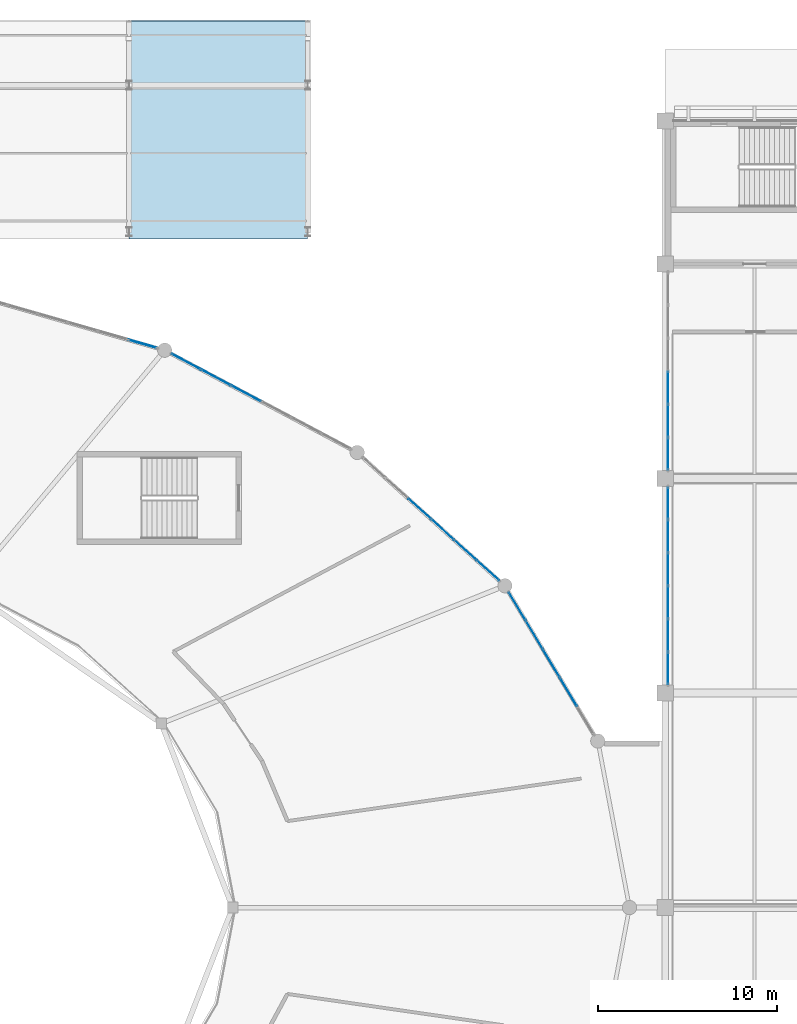
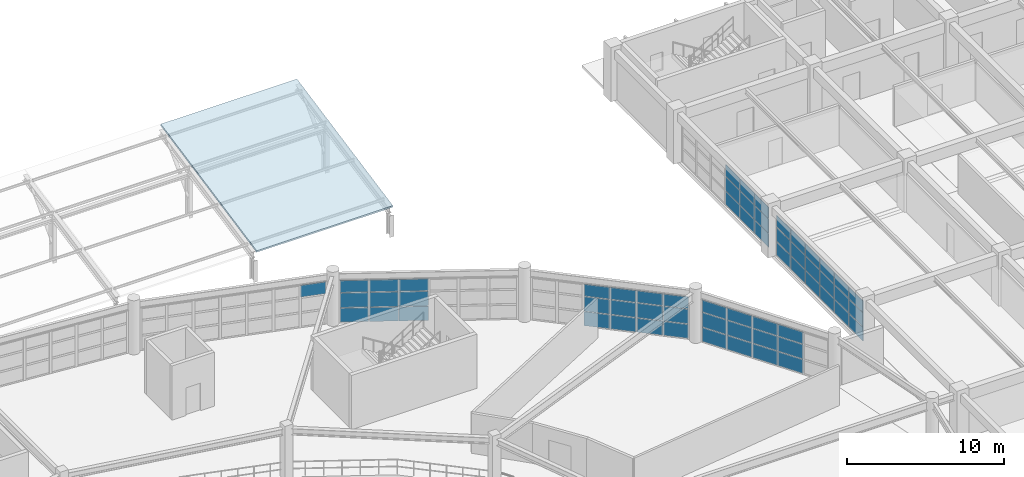
# One storey, part 69 of 100: 61 plates, 1 slab, 7 elements without a shape of their own.
"""IFC4 building model written with IfcOpenShell, lengths in metres."""

from ifc_helpers import new_model, si_unit, direction, frame, origin, origin_2d, place, context, subcontext, project, spatial, polyline, rectangle, outline, extrude, material, layer, layer_set, type_object, element, aggregate, save


model = new_model("IFC4")

# Units and contexts
model_context = context("Model", 3, precision=1e-05, world=origin(), true_north=direction((0.0, 1.0)))
body_context = subcontext(model_context, "Body", "Model", "MODEL_VIEW")
ifc_project = project(units=[si_unit("LENGTHUNIT", "METRE"), si_unit("AREAUNIT", "SQUARE_METRE"), si_unit("VOLUMEUNIT", "CUBIC_METRE"), si_unit("PLANEANGLEUNIT", "RADIAN"), si_unit("MASSUNIT", "GRAM", prefix="KILO")], contexts=[model_context])

# Site, building, storey
site_placement = place(None, origin())
site = spatial("IfcSite", under=ifc_project, at=site_placement, CompositionType="ELEMENT")
building_placement = place(site_placement, origin())
building = spatial("IfcBuilding", under=site, at=building_placement, Name="Kivolera Central Railway Station", CompositionType="ELEMENT")
storey_placement = place(building_placement, frame((0.0, 0.0, 5.39990234375)))
storey = spatial("IfcBuildingStorey", under=building, at=storey_placement, Name="L01", CompositionType="ELEMENT", Elevation=5.39990234375)

# Curtain wall, plates
ifc_material_1 = material(Name="Anodised aluminium", Category="aluminium")
ifc_layer_1 = layer(ifc_material_1, 0.179931640625, Name="Anodised aluminium")
ifc_layer_set_1 = layer_set([ifc_layer_1], Name="Anodised aluminium")
curtain_wall_type_1 = type_object("IfcCurtainWallType", Name="CW-SYS-26", PredefinedType="NOTDEFINED", material=ifc_layer_set_1)
curtain_wall_1_placement = place(storey_placement, origin())
curtain_wall_1 = element("IfcCurtainWall", 1, at=curtain_wall_1_placement, inside=storey, type_object=curtain_wall_type_1, Name="L01 Curtain Wall CW-L01-WEST-J", PredefinedType="NOTDEFINED")
ifc_material_2 = material(Name="Double low-E laminated glass", Category="glass")
ifc_layer_2 = layer(ifc_material_2, 0.030029296875, Name="Double low-E laminated glass")
ifc_layer_set_2 = layer_set([ifc_layer_2], Name="Double low-E laminated glass")
plate_type_1 = type_object("IfcPlateType", Name="CWP-GLZ-2", PredefinedType="CURTAIN_PANEL", material=ifc_layer_set_2)
plate_1_placement = place(storey_placement, frame((118.159912109375, 103.388427734375, 0.05810546875), z_axis=(0.0, 0.0, 1.0), x_axis=(0.0, 1.0, 0.0)))
plate_1 = element("IfcPlate", 2, at=plate_1_placement, type_object=plate_type_1, Name="CW-26 panel 1.1", PredefinedType="CURTAIN_PANEL", context=body_context, shape_type="SweptSolid", body=[
    extrude(rectangle(XDim=1.770751953125, YDim=0.030029296875, at=origin_2d()), origin(), (0.0, 0.0, 1.0), 1.04541015625),
])
plate_2_placement = place(storey_placement, frame((118.159912109375, 103.388427734375, 1.1494140625), z_axis=(0.0, 0.0, 1.0), x_axis=(0.0, 1.0, 0.0)))
plate_2 = element("IfcPlate", 3, at=plate_2_placement, type_object=plate_type_1, Name="CW-26 panel 1.2", PredefinedType="CURTAIN_PANEL", context=body_context, shape_type="SweptSolid", body=[
    extrude(rectangle(XDim=1.770751953125, YDim=0.030029296875, at=origin_2d()), origin(), (0.0, 0.0, 1.0), 1.080322265625),
])
plate_3_placement = place(storey_placement, frame((118.159912109375, 103.388427734375, 2.27587890625), z_axis=(0.0, 0.0, 1.0), x_axis=(0.0, 1.0, 0.0)))
plate_3 = element("IfcPlate", 4, at=plate_3_placement, type_object=plate_type_1, Name="CW-26 panel 1.3", PredefinedType="CURTAIN_PANEL", context=body_context, shape_type="SweptSolid", body=[
    extrude(rectangle(XDim=1.770751953125, YDim=0.030029296875, at=origin_2d()), origin(), (0.0, 0.0, 1.0), 0.884521484375),
])
plate_4_placement = place(storey_placement, frame((118.159912109375, 105.222412109375, 0.05810546875), z_axis=(0.0, 0.0, 1.0), x_axis=(0.0, 1.0, 0.0)))
plate_4 = element("IfcPlate", 5, at=plate_4_placement, type_object=plate_type_1, Name="CW-26 panel 2.1", PredefinedType="CURTAIN_PANEL", context=body_context, shape_type="SweptSolid", body=[
    extrude(rectangle(XDim=1.8056640625, YDim=0.030029296875, at=origin_2d()), origin(), (0.0, 0.0, 1.0), 1.04541015625),
])
plate_5_placement = place(storey_placement, frame((118.159912109375, 105.222412109375, 1.1494140625), z_axis=(0.0, 0.0, 1.0), x_axis=(0.0, 1.0, 0.0)))
plate_5 = element("IfcPlate", 6, at=plate_5_placement, type_object=plate_type_1, Name="CW-26 panel 2.2", PredefinedType="CURTAIN_PANEL", context=body_context, shape_type="SweptSolid", body=[
    extrude(rectangle(XDim=1.8056640625, YDim=0.030029296875, at=origin_2d()), origin(), (0.0, 0.0, 1.0), 1.080322265625),
])
plate_6_placement = place(storey_placement, frame((118.159912109375, 105.222412109375, 2.27587890625), z_axis=(0.0, 0.0, 1.0), x_axis=(0.0, 1.0, 0.0)))
plate_6 = element("IfcPlate", 7, at=plate_6_placement, type_object=plate_type_1, Name="CW-26 panel 2.3", PredefinedType="CURTAIN_PANEL", context=body_context, shape_type="SweptSolid", body=[
    extrude(rectangle(XDim=1.8056640625, YDim=0.030029296875, at=origin_2d()), origin(), (0.0, 0.0, 1.0), 0.884521484375),
])
plate_7_placement = place(storey_placement, frame((118.159912109375, 107.07421875, 0.05810546875), z_axis=(0.0, 0.0, 1.0), x_axis=(0.0, 1.0, 0.0)))
plate_7 = element("IfcPlate", 8, at=plate_7_placement, type_object=plate_type_1, Name="CW-26 panel 3.1", PredefinedType="CURTAIN_PANEL", context=body_context, shape_type="SweptSolid", body=[
    extrude(rectangle(XDim=1.8056640625, YDim=0.030029296875, at=origin_2d()), origin(), (0.0, 0.0, 1.0), 1.04541015625),
])
plate_8_placement = place(storey_placement, frame((118.159912109375, 107.07421875, 1.1494140625), z_axis=(0.0, 0.0, 1.0), x_axis=(0.0, 1.0, 0.0)))
plate_8 = element("IfcPlate", 9, at=plate_8_placement, type_object=plate_type_1, Name="CW-26 panel 3.2", PredefinedType="CURTAIN_PANEL", context=body_context, shape_type="SweptSolid", body=[
    extrude(rectangle(XDim=1.8056640625, YDim=0.030029296875, at=origin_2d()), origin(), (0.0, 0.0, 1.0), 1.080322265625),
])
plate_9_placement = place(storey_placement, frame((118.159912109375, 107.07421875, 2.27587890625), z_axis=(0.0, 0.0, 1.0), x_axis=(0.0, 1.0, 0.0)))
plate_9 = element("IfcPlate", 10, at=plate_9_placement, type_object=plate_type_1, Name="CW-26 panel 3.3", PredefinedType="CURTAIN_PANEL", context=body_context, shape_type="SweptSolid", body=[
    extrude(rectangle(XDim=1.8056640625, YDim=0.030029296875, at=origin_2d()), origin(), (0.0, 0.0, 1.0), 0.884521484375),
])
plate_10_placement = place(storey_placement, frame((118.159912109375, 108.92578125, 0.05810546875), z_axis=(0.0, 0.0, 1.0), x_axis=(0.0, 1.0, 0.0)))
plate_10 = element("IfcPlate", 11, at=plate_10_placement, type_object=plate_type_1, Name="CW-26 panel 4.1", PredefinedType="CURTAIN_PANEL", context=body_context, shape_type="SweptSolid", body=[
    extrude(rectangle(XDim=1.8056640625, YDim=0.030029296875, at=origin_2d()), origin(), (0.0, 0.0, 1.0), 1.04541015625),
])
plate_11_placement = place(storey_placement, frame((118.159912109375, 108.92578125, 1.1494140625), z_axis=(0.0, 0.0, 1.0), x_axis=(0.0, 1.0, 0.0)))
plate_11 = element("IfcPlate", 12, at=plate_11_placement, type_object=plate_type_1, Name="CW-26 panel 4.2", PredefinedType="CURTAIN_PANEL", context=body_context, shape_type="SweptSolid", body=[
    extrude(rectangle(XDim=1.8056640625, YDim=0.030029296875, at=origin_2d()), origin(), (0.0, 0.0, 1.0), 1.080322265625),
])
plate_12_placement = place(storey_placement, frame((118.159912109375, 108.92578125, 2.27587890625), z_axis=(0.0, 0.0, 1.0), x_axis=(0.0, 1.0, 0.0)))
plate_12 = element("IfcPlate", 13, at=plate_12_placement, type_object=plate_type_1, Name="CW-26 panel 4.3", PredefinedType="CURTAIN_PANEL", context=body_context, shape_type="SweptSolid", body=[
    extrude(rectangle(XDim=1.8056640625, YDim=0.030029296875, at=origin_2d()), origin(), (0.0, 0.0, 1.0), 0.884521484375),
])
plate_13_placement = place(storey_placement, frame((118.159912109375, 110.777587890625, 0.05810546875), z_axis=(0.0, 0.0, 1.0), x_axis=(0.0, 1.0, 0.0)))
plate_13 = element("IfcPlate", 14, at=plate_13_placement, type_object=plate_type_1, Name="CW-26 panel 5.1", PredefinedType="CURTAIN_PANEL", context=body_context, shape_type="SweptSolid", body=[
    extrude(rectangle(XDim=1.8056640625, YDim=0.030029296875, at=origin_2d()), origin(), (0.0, 0.0, 1.0), 1.04541015625),
])
plate_14_placement = place(storey_placement, frame((118.159912109375, 110.777587890625, 1.1494140625), z_axis=(0.0, 0.0, 1.0), x_axis=(0.0, 1.0, 0.0)))
plate_14 = element("IfcPlate", 15, at=plate_14_placement, type_object=plate_type_1, Name="CW-26 panel 5.2", PredefinedType="CURTAIN_PANEL", context=body_context, shape_type="SweptSolid", body=[
    extrude(rectangle(XDim=1.8056640625, YDim=0.030029296875, at=origin_2d()), origin(), (0.0, 0.0, 1.0), 1.080322265625),
])
plate_15_placement = place(storey_placement, frame((118.159912109375, 110.777587890625, 2.27587890625), z_axis=(0.0, 0.0, 1.0), x_axis=(0.0, 1.0, 0.0)))
plate_15 = element("IfcPlate", 16, at=plate_15_placement, type_object=plate_type_1, Name="CW-26 panel 5.3", PredefinedType="CURTAIN_PANEL", context=body_context, shape_type="SweptSolid", body=[
    extrude(rectangle(XDim=1.8056640625, YDim=0.030029296875, at=origin_2d()), origin(), (0.0, 0.0, 1.0), 0.884521484375),
])
plate_16_placement = place(storey_placement, frame((118.159912109375, 112.611572265625, 0.05810546875), z_axis=(0.0, 0.0, 1.0), x_axis=(0.0, 1.0, 0.0)))
plate_16 = element("IfcPlate", 17, at=plate_16_placement, type_object=plate_type_1, Name="CW-26 panel 6.1", PredefinedType="CURTAIN_PANEL", context=body_context, shape_type="SweptSolid", body=[
    extrude(rectangle(XDim=1.770751953125, YDim=0.030029296875, at=origin_2d()), origin(), (0.0, 0.0, 1.0), 1.04541015625),
])
plate_17_placement = place(storey_placement, frame((118.159912109375, 112.611572265625, 1.1494140625), z_axis=(0.0, 0.0, 1.0), x_axis=(0.0, 1.0, 0.0)))
plate_17 = element("IfcPlate", 18, at=plate_17_placement, type_object=plate_type_1, Name="CW-26 panel 6.2", PredefinedType="CURTAIN_PANEL", context=body_context, shape_type="SweptSolid", body=[
    extrude(rectangle(XDim=1.770751953125, YDim=0.030029296875, at=origin_2d()), origin(), (0.0, 0.0, 1.0), 1.080322265625),
])
plate_18_placement = place(storey_placement, frame((118.159912109375, 112.611572265625, 2.27587890625), z_axis=(0.0, 0.0, 1.0), x_axis=(0.0, 1.0, 0.0)))
plate_18 = element("IfcPlate", 19, at=plate_18_placement, type_object=plate_type_1, Name="CW-26 panel 6.3", PredefinedType="CURTAIN_PANEL", context=body_context, shape_type="SweptSolid", body=[
    extrude(rectangle(XDim=1.770751953125, YDim=0.030029296875, at=origin_2d()), origin(), (0.0, 0.0, 1.0), 0.884521484375),
])
aggregate(curtain_wall_1, [plate_1, plate_2, plate_3, plate_4, plate_5, plate_6, plate_7, plate_8, plate_9, plate_10, plate_11, plate_12, plate_13, plate_14, plate_15, plate_16, plate_17, plate_18])

curtain_wall_2_placement = place(storey_placement, origin())
curtain_wall_2 = element("IfcCurtainWall", 20, at=curtain_wall_2_placement, inside=storey, type_object=curtain_wall_type_1, Name="L01 Curtain Wall CW-L01-WEST-K", PredefinedType="NOTDEFINED")
plate_19_placement = place(storey_placement, frame((118.159912109375, 115.388427734375, 0.05810546875), z_axis=(0.0, 0.0, 1.0), x_axis=(0.0, 1.0, 0.0)))
plate_19 = element("IfcPlate", 21, at=plate_19_placement, type_object=plate_type_1, Name="CW-26 panel 1.1", PredefinedType="CURTAIN_PANEL", context=body_context, shape_type="SweptSolid", body=[
    extrude(rectangle(XDim=1.770751953125, YDim=0.030029296875, at=origin_2d()), origin(), (0.0, 0.0, 1.0), 1.04541015625),
])
plate_20_placement = place(storey_placement, frame((118.159912109375, 115.388427734375, 1.1494140625), z_axis=(0.0, 0.0, 1.0), x_axis=(0.0, 1.0, 0.0)))
plate_20 = element("IfcPlate", 22, at=plate_20_placement, type_object=plate_type_1, Name="CW-26 panel 1.2", PredefinedType="CURTAIN_PANEL", context=body_context, shape_type="SweptSolid", body=[
    extrude(rectangle(XDim=1.770751953125, YDim=0.030029296875, at=origin_2d()), origin(), (0.0, 0.0, 1.0), 1.080322265625),
])
plate_21_placement = place(storey_placement, frame((118.159912109375, 115.388427734375, 2.27587890625), z_axis=(0.0, 0.0, 1.0), x_axis=(0.0, 1.0, 0.0)))
plate_21 = element("IfcPlate", 23, at=plate_21_placement, type_object=plate_type_1, Name="CW-26 panel 1.3", PredefinedType="CURTAIN_PANEL", context=body_context, shape_type="SweptSolid", body=[
    extrude(rectangle(XDim=1.770751953125, YDim=0.030029296875, at=origin_2d()), origin(), (0.0, 0.0, 1.0), 0.884521484375),
])
plate_22_placement = place(storey_placement, frame((118.159912109375, 117.222412109375, 0.05810546875), z_axis=(0.0, 0.0, 1.0), x_axis=(0.0, 1.0, 0.0)))
plate_22 = element("IfcPlate", 24, at=plate_22_placement, type_object=plate_type_1, Name="CW-26 panel 2.1", PredefinedType="CURTAIN_PANEL", context=body_context, shape_type="SweptSolid", body=[
    extrude(rectangle(XDim=1.8056640625, YDim=0.030029296875, at=origin_2d()), origin(), (0.0, 0.0, 1.0), 1.04541015625),
])
plate_23_placement = place(storey_placement, frame((118.159912109375, 117.222412109375, 1.1494140625), z_axis=(0.0, 0.0, 1.0), x_axis=(0.0, 1.0, 0.0)))
plate_23 = element("IfcPlate", 25, at=plate_23_placement, type_object=plate_type_1, Name="CW-26 panel 2.2", PredefinedType="CURTAIN_PANEL", context=body_context, shape_type="SweptSolid", body=[
    extrude(rectangle(XDim=1.8056640625, YDim=0.030029296875, at=origin_2d()), origin(), (0.0, 0.0, 1.0), 1.080322265625),
])
plate_24_placement = place(storey_placement, frame((118.159912109375, 117.222412109375, 2.27587890625), z_axis=(0.0, 0.0, 1.0), x_axis=(0.0, 1.0, 0.0)))
plate_24 = element("IfcPlate", 26, at=plate_24_placement, type_object=plate_type_1, Name="CW-26 panel 2.3", PredefinedType="CURTAIN_PANEL", context=body_context, shape_type="SweptSolid", body=[
    extrude(rectangle(XDim=1.8056640625, YDim=0.030029296875, at=origin_2d()), origin(), (0.0, 0.0, 1.0), 0.884521484375),
])
plate_25_placement = place(storey_placement, frame((118.159912109375, 119.07421875, 0.05810546875), z_axis=(0.0, 0.0, 1.0), x_axis=(0.0, 1.0, 0.0)))
plate_25 = element("IfcPlate", 27, at=plate_25_placement, type_object=plate_type_1, Name="CW-26 panel 3.1", PredefinedType="CURTAIN_PANEL", context=body_context, shape_type="SweptSolid", body=[
    extrude(rectangle(XDim=1.8056640625, YDim=0.030029296875, at=origin_2d()), origin(), (0.0, 0.0, 1.0), 1.04541015625),
])
plate_26_placement = place(storey_placement, frame((118.159912109375, 119.07421875, 1.1494140625), z_axis=(0.0, 0.0, 1.0), x_axis=(0.0, 1.0, 0.0)))
plate_26 = element("IfcPlate", 28, at=plate_26_placement, type_object=plate_type_1, Name="CW-26 panel 3.2", PredefinedType="CURTAIN_PANEL", context=body_context, shape_type="SweptSolid", body=[
    extrude(rectangle(XDim=1.8056640625, YDim=0.030029296875, at=origin_2d()), origin(), (0.0, 0.0, 1.0), 1.080322265625),
])
plate_27_placement = place(storey_placement, frame((118.159912109375, 119.07421875, 2.27587890625), z_axis=(0.0, 0.0, 1.0), x_axis=(0.0, 1.0, 0.0)))
plate_27 = element("IfcPlate", 29, at=plate_27_placement, type_object=plate_type_1, Name="CW-26 panel 3.3", PredefinedType="CURTAIN_PANEL", context=body_context, shape_type="SweptSolid", body=[
    extrude(rectangle(XDim=1.8056640625, YDim=0.030029296875, at=origin_2d()), origin(), (0.0, 0.0, 1.0), 0.884521484375),
])
aggregate(curtain_wall_2, [plate_19, plate_20, plate_21, plate_22, plate_23, plate_24, plate_25, plate_26, plate_27])

ifc_layer_3 = layer(ifc_material_1, 0.179931640625, Name="Anodised aluminium")
ifc_layer_set_3 = layer_set([ifc_layer_3], Name="Anodised aluminium")
curtain_wall_type_2 = type_object("IfcCurtainWallType", Name="CW-SYS-02", PredefinedType="NOTDEFINED", material=ifc_layer_set_3)
curtain_wall_3_placement = place(storey_placement, origin())
curtain_wall_3 = element("IfcCurtainWall", 30, at=curtain_wall_3_placement, inside=storey, type_object=curtain_wall_type_2, Name="L01 Curtain Wall CW-L01-OVL-01", PredefinedType="NOTDEFINED")
ifc_layer_4 = layer(ifc_material_2, 0.033935546875, Name="Double low-E laminated glass")
ifc_layer_set_4 = layer_set([ifc_layer_4], Name="Double low-E laminated glass")
plate_type_2 = type_object("IfcPlateType", Name="CWP-GLZ-3", PredefinedType="CURTAIN_PANEL", material=ifc_layer_set_4)
plate_28_placement = place(storey_placement, frame((109.7255859375, 106.84228515625, 0.05810546875), z_axis=(0.0, 0.0, 1.0), x_axis=(0.513453894052, -0.858117182372, 0.0)))
plate_28 = element("IfcPlate", 31, at=plate_28_placement, type_object=plate_type_2, Name="CW-02 panel 1.1", PredefinedType="CURTAIN_PANEL", context=body_context, shape_type="SweptSolid", body=[
    extrude(rectangle(XDim=1.782958984375, YDim=0.033935546875, at=origin_2d()), origin(), (0.0, 0.0, 1.0), 1.087890625),
])
plate_29_placement = place(storey_placement, frame((109.7255859375, 106.84228515625, 1.192138671875), z_axis=(0.0, 0.0, 1.0), x_axis=(0.513453894052, -0.858117182372, 0.0)))
plate_29 = element("IfcPlate", 32, at=plate_29_placement, type_object=plate_type_2, Name="CW-02 panel 1.2", PredefinedType="CURTAIN_PANEL", context=body_context, shape_type="SweptSolid", body=[
    extrude(rectangle(XDim=1.782958984375, YDim=0.033935546875, at=origin_2d()), origin(), (0.0, 0.0, 1.0), 1.123046875),
])
plate_30_placement = place(storey_placement, frame((109.7255859375, 106.84228515625, 2.361083984375), z_axis=(0.0, 0.0, 1.0), x_axis=(0.513453894052, -0.858117182372, 0.0)))
plate_30 = element("IfcPlate", 33, at=plate_30_placement, type_object=plate_type_2, Name="CW-02 panel 1.3", PredefinedType="CURTAIN_PANEL", context=body_context, shape_type="SweptSolid", body=[
    extrude(rectangle(XDim=1.782958984375, YDim=0.033935546875, at=origin_2d()), origin(), (0.0, 0.0, 1.0), 0.9208984375),
])
plate_31_placement = place(storey_placement, frame((110.673583984375, 105.2578125, 0.05810546875), z_axis=(0.0, 0.0, 1.0), x_axis=(0.513453894052, -0.858117182372, 0.0)))
plate_31 = element("IfcPlate", 34, at=plate_31_placement, type_object=plate_type_2, Name="CW-02 panel 2.1", PredefinedType="CURTAIN_PANEL", context=body_context, shape_type="SweptSolid", body=[
    extrude(rectangle(XDim=1.81787109375, YDim=0.033935546875, at=origin_2d()), origin(), (0.0, 0.0, 1.0), 1.087890625),
])
plate_32_placement = place(storey_placement, frame((110.673583984375, 105.2578125, 1.192138671875), z_axis=(0.0, 0.0, 1.0), x_axis=(0.513453894052, -0.858117182372, 0.0)))
plate_32 = element("IfcPlate", 35, at=plate_32_placement, type_object=plate_type_2, Name="CW-02 panel 2.2", PredefinedType="CURTAIN_PANEL", context=body_context, shape_type="SweptSolid", body=[
    extrude(rectangle(XDim=1.81787109375, YDim=0.033935546875, at=origin_2d()), origin(), (0.0, 0.0, 1.0), 1.123046875),
])
plate_33_placement = place(storey_placement, frame((110.673583984375, 105.2578125, 2.361083984375), z_axis=(0.0, 0.0, 1.0), x_axis=(0.513453894052, -0.858117182372, 0.0)))
plate_33 = element("IfcPlate", 36, at=plate_33_placement, type_object=plate_type_2, Name="CW-02 panel 2.3", PredefinedType="CURTAIN_PANEL", context=body_context, shape_type="SweptSolid", body=[
    extrude(rectangle(XDim=1.81787109375, YDim=0.033935546875, at=origin_2d()), origin(), (0.0, 0.0, 1.0), 0.9208984375),
])
plate_34_placement = place(storey_placement, frame((111.630615234375, 103.658447265625, 0.05810546875), z_axis=(0.0, 0.0, 1.0), x_axis=(0.513453894052, -0.858117182372, 0.0)))
plate_34 = element("IfcPlate", 37, at=plate_34_placement, type_object=plate_type_2, Name="CW-02 panel 3.1", PredefinedType="CURTAIN_PANEL", context=body_context, shape_type="SweptSolid", body=[
    extrude(rectangle(XDim=1.81787109375, YDim=0.033935546875, at=origin_2d()), origin(), (0.0, 0.0, 1.0), 1.087890625),
])
plate_35_placement = place(storey_placement, frame((111.630615234375, 103.658447265625, 1.192138671875), z_axis=(0.0, 0.0, 1.0), x_axis=(0.513453894052, -0.858117182372, 0.0)))
plate_35 = element("IfcPlate", 38, at=plate_35_placement, type_object=plate_type_2, Name="CW-02 panel 3.2", PredefinedType="CURTAIN_PANEL", context=body_context, shape_type="SweptSolid", body=[
    extrude(rectangle(XDim=1.81787109375, YDim=0.033935546875, at=origin_2d()), origin(), (0.0, 0.0, 1.0), 1.123046875),
])
plate_36_placement = place(storey_placement, frame((111.630615234375, 103.658447265625, 2.361083984375), z_axis=(0.0, 0.0, 1.0), x_axis=(0.513453894052, -0.858117182372, 0.0)))
plate_36 = element("IfcPlate", 39, at=plate_36_placement, type_object=plate_type_2, Name="CW-02 panel 3.3", PredefinedType="CURTAIN_PANEL", context=body_context, shape_type="SweptSolid", body=[
    extrude(rectangle(XDim=1.81787109375, YDim=0.033935546875, at=origin_2d()), origin(), (0.0, 0.0, 1.0), 0.9208984375),
])
plate_37_placement = place(storey_placement, frame((112.58740234375, 102.05908203125, 0.05810546875), z_axis=(0.0, 0.0, 1.0), x_axis=(0.513453894052, -0.858117182372, 0.0)))
plate_37 = element("IfcPlate", 40, at=plate_37_placement, type_object=plate_type_2, Name="CW-02 panel 4.1", PredefinedType="CURTAIN_PANEL", context=body_context, shape_type="SweptSolid", body=[
    extrude(rectangle(XDim=1.81787109375, YDim=0.033935546875, at=origin_2d()), origin(), (0.0, 0.0, 1.0), 1.087890625),
])
plate_38_placement = place(storey_placement, frame((112.58740234375, 102.05908203125, 1.192138671875), z_axis=(0.0, 0.0, 1.0), x_axis=(0.513453894052, -0.858117182372, 0.0)))
plate_38 = element("IfcPlate", 41, at=plate_38_placement, type_object=plate_type_2, Name="CW-02 panel 4.2", PredefinedType="CURTAIN_PANEL", context=body_context, shape_type="SweptSolid", body=[
    extrude(rectangle(XDim=1.81787109375, YDim=0.033935546875, at=origin_2d()), origin(), (0.0, 0.0, 1.0), 1.123046875),
])
plate_39_placement = place(storey_placement, frame((112.58740234375, 102.05908203125, 2.361083984375), z_axis=(0.0, 0.0, 1.0), x_axis=(0.513453894052, -0.858117182372, 0.0)))
plate_39 = element("IfcPlate", 42, at=plate_39_placement, type_object=plate_type_2, Name="CW-02 panel 4.3", PredefinedType="CURTAIN_PANEL", context=body_context, shape_type="SweptSolid", body=[
    extrude(rectangle(XDim=1.81787109375, YDim=0.033935546875, at=origin_2d()), origin(), (0.0, 0.0, 1.0), 0.9208984375),
])
aggregate(curtain_wall_3, [plate_28, plate_29, plate_30, plate_31, plate_32, plate_33, plate_34, plate_35, plate_36, plate_37, plate_38, plate_39])

ifc_layer_5 = layer(ifc_material_1, 0.179931640625, Name="Anodised aluminium")
ifc_layer_set_5 = layer_set([ifc_layer_5], Name="Anodised aluminium")
curtain_wall_type_3 = type_object("IfcCurtainWallType", Name="CW-SYS-05", PredefinedType="NOTDEFINED", material=ifc_layer_set_5)
curtain_wall_4_placement = place(storey_placement, origin())
curtain_wall_4 = element("IfcCurtainWall", 43, at=curtain_wall_4_placement, inside=storey, type_object=curtain_wall_type_3, Name="L01 Curtain Wall CW-L01-OVL-02", PredefinedType="NOTDEFINED")
ifc_layer_6 = layer(ifc_material_2, 0.0380859375, Name="Double low-E laminated glass")
ifc_layer_set_6 = layer_set([ifc_layer_6], Name="Double low-E laminated glass")
plate_type_3 = type_object("IfcPlateType", Name="CWP-GLZ-4", PredefinedType="CURTAIN_PANEL", material=ifc_layer_set_6)
plate_40_placement = place(storey_placement, frame((104.262451171875, 112.3046875, 0.05810546875), z_axis=(0.0, 0.0, 1.0), x_axis=(0.742431873669, -0.669921572246, 0.0)))
plate_40 = element("IfcPlate", 44, at=plate_40_placement, type_object=plate_type_3, Name="CW-05 panel 3.1", PredefinedType="CURTAIN_PANEL", context=body_context, shape_type="SweptSolid", body=[
    extrude(rectangle(XDim=1.675537109375, YDim=0.0380859375, at=origin_2d()), origin(), (0.0, 0.0, 1.0), 1.087890625),
])
plate_41_placement = place(storey_placement, frame((104.262451171875, 112.3046875, 1.192138671875), z_axis=(0.0, 0.0, 1.0), x_axis=(0.742431873669, -0.669921572246, 0.0)))
plate_41 = element("IfcPlate", 45, at=plate_41_placement, type_object=plate_type_3, Name="CW-05 panel 3.2", PredefinedType="CURTAIN_PANEL", context=body_context, shape_type="SweptSolid", body=[
    extrude(rectangle(XDim=1.675537109375, YDim=0.0380859375, at=origin_2d()), origin(), (0.0, 0.0, 1.0), 1.123046875),
])
plate_42_placement = place(storey_placement, frame((104.262451171875, 112.3046875, 2.361083984375), z_axis=(0.0, 0.0, 1.0), x_axis=(0.742431873669, -0.669921572246, 0.0)))
plate_42 = element("IfcPlate", 46, at=plate_42_placement, type_object=plate_type_3, Name="CW-05 panel 3.3", PredefinedType="CURTAIN_PANEL", context=body_context, shape_type="SweptSolid", body=[
    extrude(rectangle(XDim=1.675537109375, YDim=0.0380859375, at=origin_2d()), origin(), (0.0, 0.0, 1.0), 0.9208984375),
])
plate_43_placement = place(storey_placement, frame((105.54052734375, 111.1513671875, 0.05810546875), z_axis=(0.0, 0.0, 1.0), x_axis=(0.742431873669, -0.669921572246, 0.0)))
plate_43 = element("IfcPlate", 47, at=plate_43_placement, type_object=plate_type_3, Name="CW-05 panel 4.1", PredefinedType="CURTAIN_PANEL", context=body_context, shape_type="SweptSolid", body=[
    extrude(rectangle(XDim=1.675537109375, YDim=0.0380859375, at=origin_2d()), origin(), (0.0, 0.0, 1.0), 1.087890625),
])
plate_44_placement = place(storey_placement, frame((105.54052734375, 111.1513671875, 1.192138671875), z_axis=(0.0, 0.0, 1.0), x_axis=(0.742431873669, -0.669921572246, 0.0)))
plate_44 = element("IfcPlate", 48, at=plate_44_placement, type_object=plate_type_3, Name="CW-05 panel 4.2", PredefinedType="CURTAIN_PANEL", context=body_context, shape_type="SweptSolid", body=[
    extrude(rectangle(XDim=1.675537109375, YDim=0.0380859375, at=origin_2d()), origin(), (0.0, 0.0, 1.0), 1.123046875),
])
plate_45_placement = place(storey_placement, frame((105.54052734375, 111.1513671875, 2.361083984375), z_axis=(0.0, 0.0, 1.0), x_axis=(0.742431873669, -0.669921572246, 0.0)))
plate_45 = element("IfcPlate", 49, at=plate_45_placement, type_object=plate_type_3, Name="CW-05 panel 4.3", PredefinedType="CURTAIN_PANEL", context=body_context, shape_type="SweptSolid", body=[
    extrude(rectangle(XDim=1.675537109375, YDim=0.0380859375, at=origin_2d()), origin(), (0.0, 0.0, 1.0), 0.9208984375),
])
plate_46_placement = place(storey_placement, frame((106.81884765625, 109.998046875, 0.05810546875), z_axis=(0.0, 0.0, 1.0), x_axis=(0.742431873669, -0.669921572246, 0.0)))
plate_46 = element("IfcPlate", 50, at=plate_46_placement, type_object=plate_type_3, Name="CW-05 panel 5.1", PredefinedType="CURTAIN_PANEL", context=body_context, shape_type="SweptSolid", body=[
    extrude(rectangle(XDim=1.675537109375, YDim=0.0380859375, at=origin_2d()), origin(), (0.0, 0.0, 1.0), 1.087890625),
])
plate_47_placement = place(storey_placement, frame((106.81884765625, 109.998046875, 1.192138671875), z_axis=(0.0, 0.0, 1.0), x_axis=(0.742431873669, -0.669921572246, 0.0)))
plate_47 = element("IfcPlate", 51, at=plate_47_placement, type_object=plate_type_3, Name="CW-05 panel 5.2", PredefinedType="CURTAIN_PANEL", context=body_context, shape_type="SweptSolid", body=[
    extrude(rectangle(XDim=1.675537109375, YDim=0.0380859375, at=origin_2d()), origin(), (0.0, 0.0, 1.0), 1.123046875),
])
plate_48_placement = place(storey_placement, frame((106.81884765625, 109.998046875, 2.361083984375), z_axis=(0.0, 0.0, 1.0), x_axis=(0.742431873669, -0.669921572246, 0.0)))
plate_48 = element("IfcPlate", 52, at=plate_48_placement, type_object=plate_type_3, Name="CW-05 panel 5.3", PredefinedType="CURTAIN_PANEL", context=body_context, shape_type="SweptSolid", body=[
    extrude(rectangle(XDim=1.675537109375, YDim=0.0380859375, at=origin_2d()), origin(), (0.0, 0.0, 1.0), 0.9208984375),
])
plate_49_placement = place(storey_placement, frame((108.083984375, 108.8564453125, 0.05810546875), z_axis=(0.0, 0.0, 1.0), x_axis=(0.742431873669, -0.669921572246, 0.0)))
plate_49 = element("IfcPlate", 53, at=plate_49_placement, type_object=plate_type_3, Name="CW-05 panel 6.1", PredefinedType="CURTAIN_PANEL", context=body_context, shape_type="SweptSolid", body=[
    extrude(rectangle(XDim=1.640625, YDim=0.0380859375, at=origin_2d()), origin(), (0.0, 0.0, 1.0), 1.087890625),
])
plate_50_placement = place(storey_placement, frame((108.083984375, 108.8564453125, 1.192138671875), z_axis=(0.0, 0.0, 1.0), x_axis=(0.742431873669, -0.669921572246, 0.0)))
plate_50 = element("IfcPlate", 54, at=plate_50_placement, type_object=plate_type_3, Name="CW-05 panel 6.2", PredefinedType="CURTAIN_PANEL", context=body_context, shape_type="SweptSolid", body=[
    extrude(rectangle(XDim=1.640625, YDim=0.0380859375, at=origin_2d()), origin(), (0.0, 0.0, 1.0), 1.123046875),
])
plate_51_placement = place(storey_placement, frame((108.083984375, 108.8564453125, 2.361083984375), z_axis=(0.0, 0.0, 1.0), x_axis=(0.742431873669, -0.669921572246, 0.0)))
plate_51 = element("IfcPlate", 55, at=plate_51_placement, type_object=plate_type_3, Name="CW-05 panel 6.3", PredefinedType="CURTAIN_PANEL", context=body_context, shape_type="SweptSolid", body=[
    extrude(rectangle(XDim=1.640625, YDim=0.0380859375, at=origin_2d()), origin(), (0.0, 0.0, 1.0), 0.9208984375),
])
aggregate(curtain_wall_4, [plate_40, plate_41, plate_42, plate_43, plate_44, plate_45, plate_46, plate_47, plate_48, plate_49, plate_50, plate_51])

ifc_layer_7 = layer(ifc_material_1, 0.179931640625, Name="Anodised aluminium")
ifc_layer_set_7 = layer_set([ifc_layer_7], Name="Anodised aluminium")
curtain_wall_type_4 = type_object("IfcCurtainWallType", Name="CW-SYS-08", PredefinedType="NOTDEFINED", material=ifc_layer_set_7)
curtain_wall_5_placement = place(storey_placement, origin())
curtain_wall_5 = element("IfcCurtainWall", 56, at=curtain_wall_5_placement, inside=storey, type_object=curtain_wall_type_4, Name="L01 Curtain Wall CW-L01-OVL-03", PredefinedType="NOTDEFINED")
ifc_layer_8 = layer(ifc_material_2, 0.0419921875, Name="Double low-E laminated glass")
ifc_layer_set_8 = layer_set([ifc_layer_8], Name="Double low-E laminated glass")
plate_type_4 = type_object("IfcPlateType", Name="CWP-GLZ-5", PredefinedType="CURTAIN_PANEL", material=ifc_layer_set_8)
plate_52_placement = place(storey_placement, frame((91.20703125, 120.535400390625, 0.05810546875), z_axis=(0.0, 0.0, 1.0), x_axis=(0.883170250772, -0.46905256438, 0.0)))
plate_52 = element("IfcPlate", 57, at=plate_52_placement, type_object=plate_type_4, Name="CW-08 panel 1.1", PredefinedType="CURTAIN_PANEL", context=body_context, shape_type="SweptSolid", body=[
    extrude(rectangle(XDim=1.818115234375, YDim=0.0419921875, at=origin_2d()), origin(), (0.0, 0.0, 1.0), 1.087890625),
])
plate_53_placement = place(storey_placement, frame((91.20703125, 120.535400390625, 1.192138671875), z_axis=(0.0, 0.0, 1.0), x_axis=(0.883170250772, -0.46905256438, 0.0)))
plate_53 = element("IfcPlate", 58, at=plate_53_placement, type_object=plate_type_4, Name="CW-08 panel 1.2", PredefinedType="CURTAIN_PANEL", context=body_context, shape_type="SweptSolid", body=[
    extrude(rectangle(XDim=1.818115234375, YDim=0.0419921875, at=origin_2d()), origin(), (0.0, 0.0, 1.0), 1.123046875),
])
plate_54_placement = place(storey_placement, frame((91.20703125, 120.535400390625, 2.361083984375), z_axis=(0.0, 0.0, 1.0), x_axis=(0.883170250772, -0.46905256438, 0.0)))
plate_54 = element("IfcPlate", 59, at=plate_54_placement, type_object=plate_type_4, Name="CW-08 panel 1.3", PredefinedType="CURTAIN_PANEL", context=body_context, shape_type="SweptSolid", body=[
    extrude(rectangle(XDim=1.818115234375, YDim=0.0419921875, at=origin_2d()), origin(), (0.0, 0.0, 1.0), 0.9208984375),
])
plate_55_placement = place(storey_placement, frame((92.868896484375, 119.65283203125, 0.05810546875), z_axis=(0.0, 0.0, 1.0), x_axis=(0.883170250772, -0.46905256438, 0.0)))
plate_55 = element("IfcPlate", 60, at=plate_55_placement, type_object=plate_type_4, Name="CW-08 panel 2.1", PredefinedType="CURTAIN_PANEL", context=body_context, shape_type="SweptSolid", body=[
    extrude(rectangle(XDim=1.853271484375, YDim=0.0419921875, at=origin_2d()), origin(), (0.0, 0.0, 1.0), 1.087890625),
])
plate_56_placement = place(storey_placement, frame((92.868896484375, 119.65283203125, 1.192138671875), z_axis=(0.0, 0.0, 1.0), x_axis=(0.883170250772, -0.46905256438, 0.0)))
plate_56 = element("IfcPlate", 61, at=plate_56_placement, type_object=plate_type_4, Name="CW-08 panel 2.2", PredefinedType="CURTAIN_PANEL", context=body_context, shape_type="SweptSolid", body=[
    extrude(rectangle(XDim=1.853271484375, YDim=0.0419921875, at=origin_2d()), origin(), (0.0, 0.0, 1.0), 1.123046875),
])
plate_57_placement = place(storey_placement, frame((92.868896484375, 119.65283203125, 2.361083984375), z_axis=(0.0, 0.0, 1.0), x_axis=(0.883170250772, -0.46905256438, 0.0)))
plate_57 = element("IfcPlate", 62, at=plate_57_placement, type_object=plate_type_4, Name="CW-08 panel 2.3", PredefinedType="CURTAIN_PANEL", context=body_context, shape_type="SweptSolid", body=[
    extrude(rectangle(XDim=1.853271484375, YDim=0.0419921875, at=origin_2d()), origin(), (0.0, 0.0, 1.0), 0.9208984375),
])
plate_58_placement = place(storey_placement, frame((94.54638671875, 118.761962890625, 0.05810546875), z_axis=(0.0, 0.0, 1.0), x_axis=(0.883170250772, -0.46905256438, 0.0)))
plate_58 = element("IfcPlate", 63, at=plate_58_placement, type_object=plate_type_4, Name="CW-08 panel 3.1", PredefinedType="CURTAIN_PANEL", context=body_context, shape_type="SweptSolid", body=[
    extrude(rectangle(XDim=1.853271484375, YDim=0.0419921875, at=origin_2d()), origin(), (0.0, 0.0, 1.0), 1.087890625),
])
plate_59_placement = place(storey_placement, frame((94.54638671875, 118.761962890625, 1.192138671875), z_axis=(0.0, 0.0, 1.0), x_axis=(0.883170250772, -0.46905256438, 0.0)))
plate_59 = element("IfcPlate", 64, at=plate_59_placement, type_object=plate_type_4, Name="CW-08 panel 3.2", PredefinedType="CURTAIN_PANEL", context=body_context, shape_type="SweptSolid", body=[
    extrude(rectangle(XDim=1.853271484375, YDim=0.0419921875, at=origin_2d()), origin(), (0.0, 0.0, 1.0), 1.123046875),
])
plate_60_placement = place(storey_placement, frame((94.54638671875, 118.761962890625, 2.361083984375), z_axis=(0.0, 0.0, 1.0), x_axis=(0.883170250772, -0.46905256438, 0.0)))
plate_60 = element("IfcPlate", 65, at=plate_60_placement, type_object=plate_type_4, Name="CW-08 panel 3.3", PredefinedType="CURTAIN_PANEL", context=body_context, shape_type="SweptSolid", body=[
    extrude(rectangle(XDim=1.853271484375, YDim=0.0419921875, at=origin_2d()), origin(), (0.0, 0.0, 1.0), 0.9208984375),
])
aggregate(curtain_wall_5, [plate_52, plate_53, plate_54, plate_55, plate_56, plate_57, plate_58, plate_59, plate_60])

# Curtain wall, plate
ifc_layer_9 = layer(ifc_material_1, 0.179931640625, Name="Anodised aluminium")
ifc_layer_set_9 = layer_set([ifc_layer_9], Name="Anodised aluminium")
curtain_wall_type_5 = type_object("IfcCurtainWallType", Name="CW-SYS-10", PredefinedType="NOTDEFINED", material=ifc_layer_set_9)
curtain_wall_6_placement = place(storey_placement, origin())
curtain_wall_6 = element("IfcCurtainWall", 66, at=curtain_wall_6_placement, inside=storey, type_object=curtain_wall_type_5, Name="L01 Curtain Wall CW-L01-OVL-04", PredefinedType="NOTDEFINED")
plate_61_placement = place(storey_placement, frame((88.75732421875, 121.532958984375, 2.361083984375), z_axis=(0.0, 0.0, 1.0), x_axis=(0.961246112288, -0.275691696668, 0.0)))
plate_61 = element("IfcPlate", 67, at=plate_61_placement, type_object=plate_type_4, Name="CW-10 panel 7.3", PredefinedType="CURTAIN_PANEL", context=body_context, shape_type="SweptSolid", body=[
    extrude(rectangle(XDim=1.66845703125, YDim=0.0419921875, at=origin_2d()), origin(), (0.0, 0.0, 1.0), 0.9208984375),
])
aggregate(curtain_wall_6, [plate_61])

# Roof, slab
ifc_material_3 = material(Name="Steel S355", Category="steel")
roof_type = type_object("IfcRoofType", Name="ROOF-SYS-2", PredefinedType="SHED_ROOF", material=ifc_material_3)
roof_placement = place(storey_placement, origin())
roof = element("IfcRoof", 68, at=roof_placement, inside=storey, type_object=roof_type, Name="Forecourt Interchange Sloped Steel Canopy Roof", PredefinedType="SHED_ROOF")
ifc_material_4 = material(Name="Precast concrete C40/50", Category="concrete")
ifc_layer_10 = layer(ifc_material_4, 0.14990234375, Name="Precast concrete C40/50")
ifc_layer_set_10 = layer_set([ifc_layer_10], Name="Precast concrete C40/50")
slab_type = type_object("IfcSlabType", Name="SLB-CAN-150", PredefinedType="ROOF", material=ifc_layer_set_10)
slab_placement = place(storey_placement, frame((88.0, 127.39990234375, 2.52001953125), z_axis=(0.0, -0.196127455831, 0.980578411484), x_axis=(1.0, 0.0, 0.0)))
slab = element("IfcSlab", 69, at=slab_placement, type_object=slab_type, Name="Forecourt Canopy Sloped Roof Panel 88", PredefinedType="ROOF", context=body_context, shape_type="SweptSolid", body=[
    extrude(outline(polyline([(0.0, 0.0), (10.0, 0.0), (10.0, 12.441835522394781), (0.0, 12.441835522394781), (0.0, 0.0)])), origin(), (0.0, 0.0, -1.0), 0.14990234375),
])
aggregate(roof, [slab])

save(model, "model.ifc")
